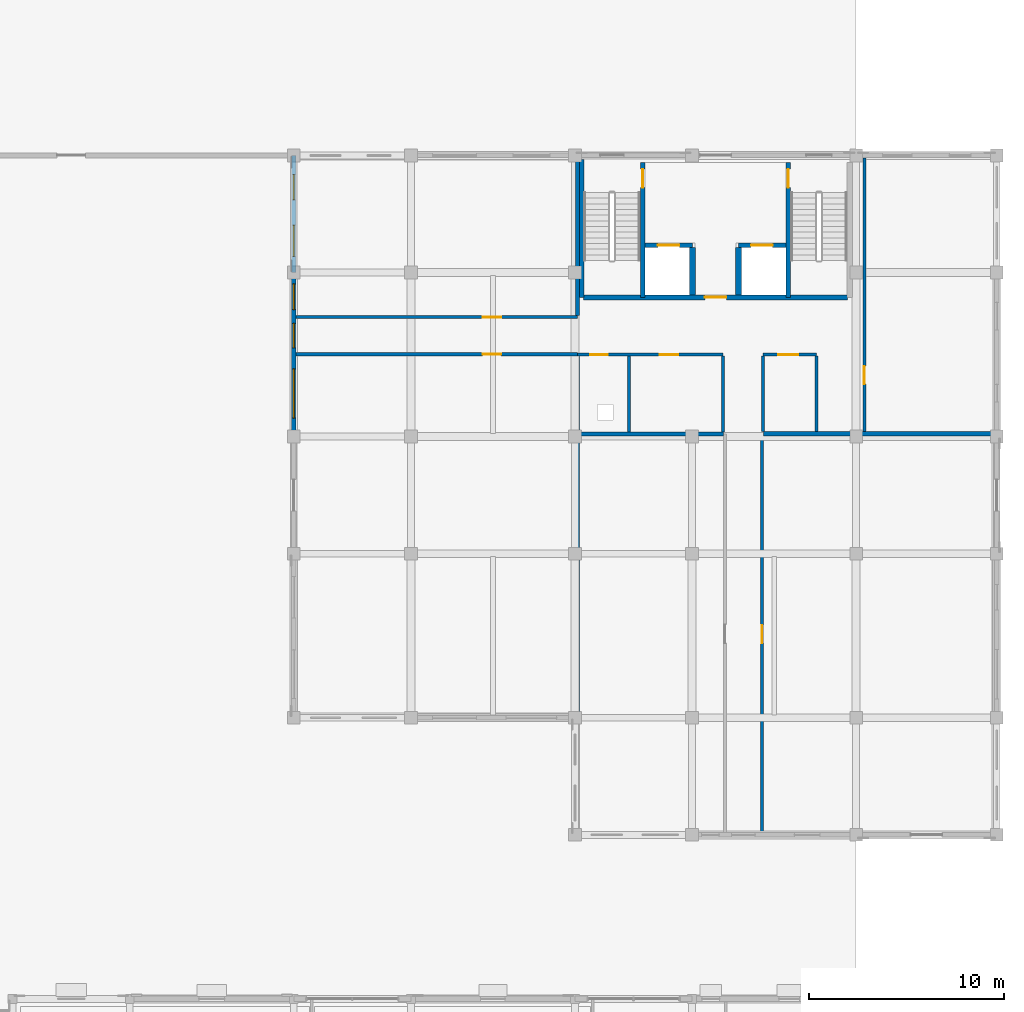
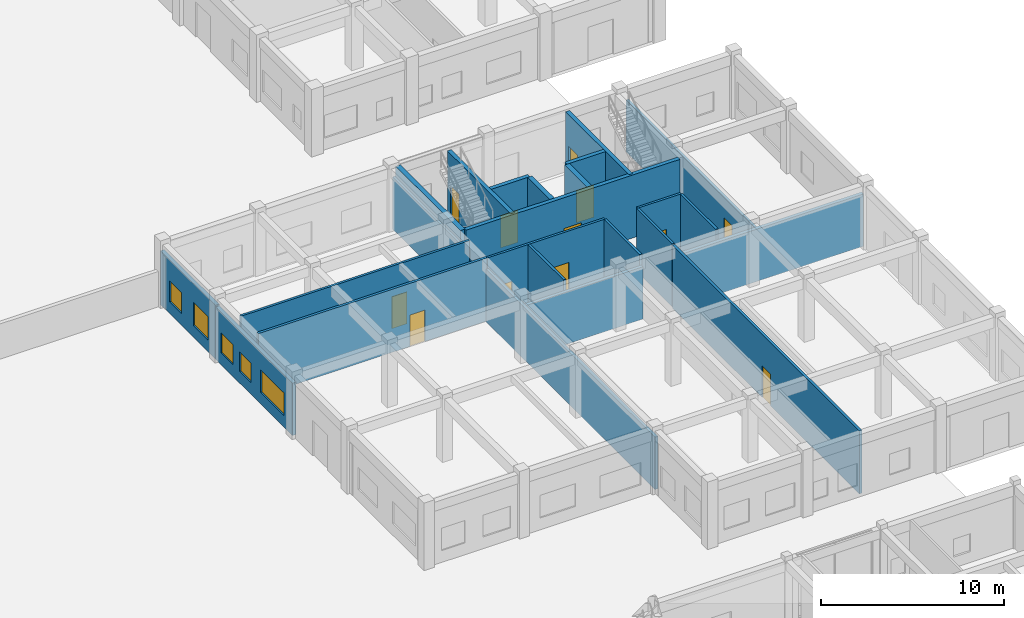
# One storey, part 44 of 67: 24 walls, 12 doors, 5 windows, 17 openings.
"""IFC4 building model written with IfcOpenShell, lengths in metres."""

from ifc_helpers import new_model, si_unit, direction, frame, frame_2d, origin, place, context, subcontext, project, spatial, rectangle, extrude, material, layer, layer_set, type_object, element, fill, save


model = new_model("IFC4")

# Units and contexts
model_context = context("Model", 3, precision=1e-05, world=origin(), true_north=direction((0.0, 1.0)))
body_context = subcontext(model_context, "Body", "Model", "MODEL_VIEW")
ifc_project = project(units=[si_unit("LENGTHUNIT", "METRE"), si_unit("AREAUNIT", "SQUARE_METRE"), si_unit("VOLUMEUNIT", "CUBIC_METRE"), si_unit("PLANEANGLEUNIT", "RADIAN"), si_unit("MASSUNIT", "GRAM", prefix="KILO"), si_unit("THERMODYNAMICTEMPERATUREUNIT", "KELVIN")], contexts=[model_context])

# Site, building, storey
site_placement = place(None, origin())
site = spatial("IfcSite", under=ifc_project, at=site_placement, CompositionType="ELEMENT")
building_placement = place(site_placement, origin())
building = spatial("IfcBuilding", under=site, at=building_placement, Name="Thalorik Housing Commons", CompositionType="ELEMENT")
storey_placement = place(building_placement, origin())
storey = spatial("IfcBuildingStorey", under=building, at=storey_placement, Name="L00", CompositionType="ELEMENT", Elevation=0.0)

# Wall, opening, door
ifc_material_1 = material(Name="Concrete C40/50", Category="concrete")
ifc_layer_1 = layer(ifc_material_1, 0.25, Name="Concrete C40/50", Category="concrete")
ifc_layer_set_1 = layer_set([ifc_layer_1], Name="Concrete C40/50")
wall_type_1 = type_object("IfcWallType", Name="ARC-WAL-CORE-250", PredefinedType="SHEAR", material=ifc_layer_set_1)
wall_1_placement = place(storey_placement, frame((155.875, 71.64990234375, 0.0), z_axis=(0.0, 0.0, 1.0), x_axis=(0.0, -1.0, 0.0)))
wall_1 = element("IfcWall", 1, at=wall_1_placement, inside=storey, type_object=wall_type_1, Name="L00 Core D Stair 1 Shear Wall", PredefinedType="SHEAR", context=body_context, shape_type="SweptSolid", body=[
    extrude(rectangle(XDim=6.9248046875, YDim=0.25, at=frame_2d((3.46240234375, 0.0))), origin(), (0.0, 0.0, 1.0), 4.199951171875),
])
opening_1_placement = place(wall_1_placement, frame((0.35009765625, 0.0, 0.0)))
opening_1 = element("IfcOpeningElement", 2, at=opening_1_placement, cuts=wall_1, Name="Opening ID-0353", PredefinedType="OPENING", context=body_context, shape_type="SweptSolid", body=[
    extrude(rectangle(XDim=0.949951171875, YDim=2.10009765625, at=frame_2d((0.47509765625, 1.050048828125))), frame((0.0, 0.135009765625, 0.0), z_axis=(0.0, -1.0, 0.0), x_axis=(1.0, 0.0, 0.0)), (0.0, 0.0, 1.0), 0.27001953125),
])
ifc_material_2 = material(Name="Steel S355", Category="steel")
door_type_1 = type_object("IfcDoorType", Name="ARC-DR-FD60-950", OperationType="NOTDEFINED", PredefinedType="DOOR", material=ifc_material_2)
door_1_placement = place(opening_1_placement, origin())
door_1 = element("IfcDoor", 3, at=door_1_placement, inside=storey, type_object=door_type_1, Name="L00 Stair ST-D1 Fire Door", OperationType="SINGLE_SWING_RIGHT", OverallHeight=2.10009765625, OverallWidth=0.949951171875, PredefinedType="DOOR", context=body_context, shape_type="SweptSolid", body=[
    extrude(rectangle(XDim=0.949951171875, YDim=2.10009765625, at=frame_2d((0.47509765625, 1.050048828125))), frame((0.0, 0.02490234375, 0.0), z_axis=(0.0, -1.0, 0.0), x_axis=(1.0, 0.0, 0.0)), (0.0, 0.0, 1.0), 0.050048828125),
])
fill(opening_1, door_1)

wall_2_placement = place(storey_placement, frame((163.324951171875, 71.64990234375, 0.0), z_axis=(0.0, 0.0, 1.0), x_axis=(0.0, -1.0, 0.0)))
wall_2 = element("IfcWall", 4, at=wall_2_placement, inside=storey, type_object=wall_type_1, Name="L00 Core D Stair 2 Shear Wall", PredefinedType="SHEAR", context=body_context, shape_type="SweptSolid", body=[
    extrude(rectangle(XDim=6.9248046875, YDim=0.25, at=frame_2d((3.46240234375, 0.0))), origin(), (0.0, 0.0, 1.0), 4.199951171875),
])
opening_2_placement = place(wall_2_placement, frame((0.35009765625, 0.0, 0.0)))
opening_2 = element("IfcOpeningElement", 5, at=opening_2_placement, cuts=wall_2, Name="Opening ID-0354", PredefinedType="OPENING", context=body_context, shape_type="SweptSolid", body=[
    extrude(rectangle(XDim=0.949951171875, YDim=2.10009765625, at=frame_2d((0.47509765625, 1.050048828125))), frame((0.0, 0.135009765625, 0.0), z_axis=(0.0, -1.0, 0.0), x_axis=(1.0, 0.0, 0.0)), (0.0, 0.0, 1.0), 0.27001953125),
])
door_2_placement = place(opening_2_placement, origin())
door_2 = element("IfcDoor", 6, at=door_2_placement, inside=storey, type_object=door_type_1, Name="L00 Stair ST-D2 Fire Door", OperationType="SINGLE_SWING_LEFT", OverallHeight=2.10009765625, OverallWidth=0.949951171875, PredefinedType="DOOR", context=body_context, shape_type="SweptSolid", body=[
    extrude(rectangle(XDim=0.949951171875, YDim=2.10009765625, at=frame_2d((0.47509765625, 1.050048828125))), frame((0.0, 0.02490234375, 0.0), z_axis=(0.0, -1.0, 0.0), x_axis=(1.0, 0.0, 0.0)), (0.0, 0.0, 1.0), 0.050048828125),
])
fill(opening_2, door_2)

wall_3_placement = place(storey_placement, frame((156.0, 67.39990234375, 0.0), z_axis=(0.0, 0.0, 1.0), x_axis=(1.0, 0.0, 0.0)))
wall_3 = element("IfcWall", 7, at=wall_3_placement, inside=storey, type_object=wall_type_1, Name="L00 Lift LP-D1 Front Shaft Wall", PredefinedType="SHEAR", context=body_context, shape_type="SweptSolid", body=[
    extrude(rectangle(XDim=2.425048828125, YDim=0.25, at=frame_2d((1.21240234375, 0.0))), origin(), (0.0, 0.0, 1.0), 4.199951171875),
])
opening_3_placement = place(wall_3_placement, frame((0.64990234375, 0.0, 0.0)))
opening_3 = element("IfcOpeningElement", 8, at=opening_3_placement, cuts=wall_3, Name="Opening LD-LP-D1-L00", PredefinedType="OPENING", context=body_context, shape_type="SweptSolid", body=[
    extrude(rectangle(XDim=1.10009765625, YDim=2.14990234375, at=frame_2d((0.550048828125, 1.074951171875))), frame((0.0, 0.135009765625, 0.0), z_axis=(0.0, -1.0, 0.0), x_axis=(1.0, 0.0, 0.0)), (0.0, 0.0, 1.0), 0.27001953125),
])
door_type_2 = type_object("IfcDoorType", Name="ARC-DR-LIFT-1100", OperationType="NOTDEFINED", PredefinedType="DOOR", material=ifc_material_2)
door_3_placement = place(opening_3_placement, origin())
door_3 = element("IfcDoor", 9, at=door_3_placement, inside=storey, type_object=door_type_2, Name="L00 Lift LP-D1 Landing Door", OperationType="SLIDING_TO_LEFT", OverallHeight=2.14990234375, OverallWidth=1.10009765625, PredefinedType="DOOR", context=body_context, shape_type="SweptSolid", body=[
    extrude(rectangle(XDim=1.10009765625, YDim=2.14990234375, at=frame_2d((0.550048828125, 1.074951171875))), frame((0.0, 0.02490234375, 0.0), z_axis=(0.0, -1.0, 0.0), x_axis=(1.0, 0.0, 0.0)), (0.0, 0.0, 1.0), 0.050048828125),
])
fill(opening_3, door_3)

wall_4_placement = place(storey_placement, frame((160.77490234375, 67.39990234375, 0.0), z_axis=(0.0, 0.0, 1.0), x_axis=(1.0, 0.0, 0.0)))
wall_4 = element("IfcWall", 10, at=wall_4_placement, inside=storey, type_object=wall_type_1, Name="L00 Lift LP-D2 Front Shaft Wall", PredefinedType="SHEAR", context=body_context, shape_type="SweptSolid", body=[
    extrude(rectangle(XDim=2.425048828125, YDim=0.25, at=frame_2d((1.21240234375, 0.0))), origin(), (0.0, 0.0, 1.0), 4.199951171875),
])
opening_4_placement = place(wall_4_placement, frame((0.64990234375, 0.0, 0.0)))
opening_4 = element("IfcOpeningElement", 11, at=opening_4_placement, cuts=wall_4, Name="Opening LD-LP-D2-L00", PredefinedType="OPENING", context=body_context, shape_type="SweptSolid", body=[
    extrude(rectangle(XDim=1.10009765625, YDim=2.14990234375, at=frame_2d((0.550048828125, 1.074951171875))), frame((0.0, 0.135009765625, 0.0), z_axis=(0.0, -1.0, 0.0), x_axis=(1.0, 0.0, 0.0)), (0.0, 0.0, 1.0), 0.27001953125),
])
door_4_placement = place(opening_4_placement, origin())
door_4 = element("IfcDoor", 12, at=door_4_placement, inside=storey, type_object=door_type_2, Name="L00 Lift LP-D2 Landing Door", OperationType="SLIDING_TO_LEFT", OverallHeight=2.14990234375, OverallWidth=1.10009765625, PredefinedType="DOOR", context=body_context, shape_type="SweptSolid", body=[
    extrude(rectangle(XDim=1.10009765625, YDim=2.14990234375, at=frame_2d((0.550048828125, 1.074951171875))), frame((0.0, 0.02490234375, 0.0), z_axis=(0.0, -1.0, 0.0), x_axis=(1.0, 0.0, 0.0)), (0.0, 0.0, 1.0), 0.050048828125),
])
fill(opening_4, door_4)

wall_5_placement = place(storey_placement, frame((152.85009765625, 64.72509765625, 0.0), z_axis=(0.0, 0.0, 1.0), x_axis=(1.0, 0.0, 0.0)))
wall_5 = element("IfcWall", 13, at=wall_5_placement, inside=storey, type_object=wall_type_1, Name="L00 Core D Spine Shear Wall", PredefinedType="SHEAR", context=body_context, shape_type="SweptSolid", body=[
    extrude(rectangle(XDim=13.5, YDim=0.25, at=frame_2d((6.75, 0.0))), origin(), (0.0, 0.0, 1.0), 4.199951171875),
])
opening_5_placement = place(wall_5_placement, frame((6.199951171875, 0.0, 0.0)))
opening_5 = element("IfcOpeningElement", 14, at=opening_5_placement, cuts=wall_5, Name="Opening ID-0357", PredefinedType="OPENING", context=body_context, shape_type="SweptSolid", body=[
    extrude(rectangle(XDim=1.10009765625, YDim=2.14990234375, at=frame_2d((0.550048828125, 1.074951171875))), frame((0.0, 0.135009765625, 0.0), z_axis=(0.0, -1.0, 0.0), x_axis=(1.0, 0.0, 0.0)), (0.0, 0.0, 1.0), 0.27001953125),
])
door_type_3 = type_object("IfcDoorType", Name="ARC-DR-FD60-1100", OperationType="NOTDEFINED", PredefinedType="DOOR", material=ifc_material_2)
door_5_placement = place(opening_5_placement, origin())
door_5 = element("IfcDoor", 15, at=door_5_placement, inside=storey, type_object=door_type_3, Name="L00 Core D Lobby Fire Door", OperationType="SINGLE_SWING_RIGHT", OverallHeight=2.14990234375, OverallWidth=1.10009765625, PredefinedType="DOOR", context=body_context, shape_type="SweptSolid", body=[
    extrude(rectangle(XDim=1.10009765625, YDim=2.14990234375, at=frame_2d((0.550048828125, 1.074951171875))), frame((0.0, 0.02490234375, 0.0), z_axis=(0.0, -1.0, 0.0), x_axis=(1.0, 0.0, 0.0)), (0.0, 0.0, 1.0), 0.050048828125),
])
fill(opening_5, door_5)

# Walls
ifc_layer_2 = layer(ifc_material_1, 0.300048828125, Name="Concrete C40/50", Category="concrete")
ifc_layer_set_2 = layer_set([ifc_layer_2], Name="Concrete C40/50")
wall_type_2 = type_object("IfcWallType", Name="ARC-WAL-CORE-300", PredefinedType="SHEAR", material=ifc_layer_set_2)
wall_6_placement = place(storey_placement, frame((152.72509765625, 71.800048828125, 0.0), z_axis=(0.0, 0.0, 1.0), x_axis=(0.0, -1.0, 0.0)))
element("IfcWall", 16, at=wall_6_placement, inside=storey, type_object=wall_type_2, Name="L00 Core D Stair 1 Outer Shear Wall", PredefinedType="SHEAR", context=body_context, shape_type="SweptSolid", body=[
    extrude(rectangle(XDim=7.074951171875, YDim=0.300048828125, at=frame_2d((3.53759765625, 0.0))), origin(), (0.0, 0.0, 1.0), 4.199951171875),
])
for number, where, z_axis, x_axis, name in (
    (17, (158.425048828125, 67.27490234375, 0.0), (0.0, 0.0, 1.0), (0.0, -1.0, 0.0), "L00 Lift 1 Cheek Wall"),
    (18, (160.77490234375, 67.27490234375, 0.0), (0.0, 0.0, 1.0), (0.0, -1.0, 0.0), "L00 Lift 2 Cheek Wall"),
):
    element("IfcWall", number, at=place(storey_placement, frame(where, z_axis=z_axis, x_axis=x_axis)), inside=storey, type_object=wall_type_2, Name=name, PredefinedType="SHEAR", context=body_context, shape_type="SweptSolid", body=[
        extrude(rectangle(XDim=2.4248046875, YDim=0.300048828125, at=frame_2d((1.21240234375, 0.0))), origin(), (0.0, 0.0, 1.0), 4.199951171875),
    ])

# Wall, opening, door
ifc_material_3 = material(Name="Masonry fire-rated corridor wall", Category="masonry")
ifc_layer_3 = layer(ifc_material_3, 0.14990234375, Name="Masonry fire-rated corridor wall", Category="masonry")
ifc_layer_set_3 = layer_set([ifc_layer_3], Name="Masonry fire-rated corridor wall")
wall_type_3 = type_object("IfcWallType", Name="ARC-WAL-CORR-150", PredefinedType="PARTITIONING", material=ifc_layer_set_3)
wall_7_placement = place(storey_placement, frame((167.219970703125, 57.85205078125, 0.0), z_axis=(0.0, 0.0, 1.0), x_axis=(0.0, 1.0, 0.0)))
wall_7 = element("IfcWall", 19, at=wall_7_placement, inside=storey, type_object=wall_type_3, Name="L00 Block D East Studio Wall", PredefinedType="PARTITIONING", context=body_context, shape_type="SweptSolid", body=[
    extrude(rectangle(XDim=14.008056640625, YDim=0.14990234375, at=frame_2d((7.00390625, 0.0))), origin(), (0.0, 0.0, 1.0), 3.485107421875),
])
opening_6_placement = place(wall_7_placement, frame((2.43798828125, 0.0, 0.0)))
opening_6 = element("IfcOpeningElement", 20, at=opening_6_placement, cuts=wall_7, Name="Opening ID-1988", PredefinedType="OPENING", context=body_context, shape_type="SweptSolid", body=[
    extrude(rectangle(XDim=0.919921875, YDim=2.10009765625, at=frame_2d((0.4599609375, 1.050048828125))), frame((0.0, 0.0849609375, 0.0), z_axis=(0.0, -1.0, 0.0), x_axis=(1.0, 0.0, 0.0)), (0.0, 0.0, 1.0), 0.169921875),
])
ifc_material_4 = material(Name="Solid core hardwood timber", Category="wood")
door_type_4 = type_object("IfcDoorType", Name="ARC-DR-FD30-920", OperationType="NOTDEFINED", PredefinedType="DOOR", material=ifc_material_4)
door_6_placement = place(opening_6_placement, origin())
door_6 = element("IfcDoor", 21, at=door_6_placement, inside=storey, type_object=door_type_4, Name="L00 Block D East Room Door", OperationType="SINGLE_SWING_LEFT", OverallHeight=2.10009765625, OverallWidth=0.919921875, PredefinedType="DOOR", context=body_context, shape_type="SweptSolid", body=[
    extrude(rectangle(XDim=0.919921875, YDim=2.10009765625, at=frame_2d((0.4599609375, 1.050048828125))), frame((0.0, 0.02490234375, 0.0), z_axis=(0.0, -1.0, 0.0), x_axis=(1.0, 0.0, 0.0)), (0.0, 0.0, 1.0), 0.050048828125),
])
fill(opening_6, door_6)

wall_8_placement = place(storey_placement, frame((138.119384765625, 63.719970703125, 0.0), z_axis=(0.0, 0.0, 1.0), x_axis=(1.0, 0.0, 0.0)))
wall_8 = element("IfcWall", 22, at=wall_8_placement, inside=storey, type_object=wall_type_3, Name="L00 Block D R Corridor Wall 2", PredefinedType="PARTITIONING", context=body_context, shape_type="SweptSolid", body=[
    extrude(rectangle(XDim=14.420654296875, YDim=0.14990234375, at=frame_2d((7.21044921875, 0.0))), origin(), (0.0, 0.0, 1.0), 4.199951171875),
])
opening_7_placement = place(wall_8_placement, frame((9.548583984375, 0.0, 0.0)))
opening_7 = element("IfcOpeningElement", 23, at=opening_7_placement, cuts=wall_8, Name="Opening ID-1990", PredefinedType="OPENING", context=body_context, shape_type="SweptSolid", body=[
    extrude(rectangle(XDim=0.9599609375, YDim=2.1201171875, at=frame_2d((0.47998046875, 1.06005859375))), frame((0.0, 0.0849609375, 0.0), z_axis=(0.0, -1.0, 0.0), x_axis=(1.0, 0.0, 0.0)), (0.0, 0.0, 1.0), 0.169921875),
])
door_type_5 = type_object("IfcDoorType", Name="ARC-DR-FD30-960", OperationType="NOTDEFINED", PredefinedType="DOOR", material=ifc_material_4)
door_7_placement = place(opening_7_placement, origin())
door_7 = element("IfcDoor", 24, at=door_7_placement, inside=storey, type_object=door_type_5, Name="L00 Residents Cooperative Library Door", OperationType="SINGLE_SWING_LEFT", OverallHeight=2.1201171875, OverallWidth=0.9599609375, PredefinedType="DOOR", context=body_context, shape_type="SweptSolid", body=[
    extrude(rectangle(XDim=0.9599609375, YDim=2.1201171875, at=frame_2d((0.47998046875, 1.06005859375))), frame((0.0, 0.02490234375, 0.0), z_axis=(0.0, -1.0, 0.0), x_axis=(1.0, 0.0, 0.0)), (0.0, 0.0, 1.0), 0.050048828125),
])
fill(opening_7, door_7)

ifc_layer_4 = layer(ifc_material_3, 0.1650390625, Name="Masonry fire-rated corridor wall", Category="masonry")
ifc_layer_set_4 = layer_set([ifc_layer_4], Name="Masonry fire-rated corridor wall")
wall_type_4 = type_object("IfcWallType", Name="ARC-WAL-CORR-165", PredefinedType="PARTITIONING", material=ifc_layer_set_4)
wall_9_placement = place(storey_placement, frame((161.97998046875, 37.319580078125, 0.0), z_axis=(0.0, 0.0, 1.0), x_axis=(0.0, 1.0, 0.0)))
wall_9 = element("IfcWall", 25, at=wall_9_placement, inside=storey, type_object=wall_type_4, Name="L00 Block D E Corridor Wall 2", PredefinedType="PARTITIONING", context=body_context, shape_type="SweptSolid", body=[
    extrude(rectangle(XDim=20.42041015625, YDim=0.1650390625, at=frame_2d((10.210205078125, 0.0))), origin(), (0.0, 0.0, 1.0), 4.199951171875),
])
opening_8_placement = place(wall_9_placement, frame((9.700439453125, 0.0, 0.0)))
opening_8 = element("IfcOpeningElement", 26, at=opening_8_placement, cuts=wall_9, Name="Opening ID-1987", PredefinedType="OPENING", context=body_context, shape_type="SweptSolid", body=[
    extrude(rectangle(XDim=0.919921875, YDim=2.10009765625, at=frame_2d((0.4599609375, 1.050048828125))), frame((0.0, 0.092529296875, 0.0), z_axis=(0.0, -1.0, 0.0), x_axis=(1.0, 0.0, 0.0)), (0.0, 0.0, 1.0), 0.18505859375),
])
door_8_placement = place(opening_8_placement, origin())
door_8 = element("IfcDoor", 27, at=door_8_placement, inside=storey, type_object=door_type_4, Name="L00 Residents Cooperative Library Door", OperationType="SINGLE_SWING_RIGHT", OverallHeight=2.10009765625, OverallWidth=0.919921875, PredefinedType="DOOR", context=body_context, shape_type="SweptSolid", body=[
    extrude(rectangle(XDim=0.919921875, YDim=2.10009765625, at=frame_2d((0.4599609375, 1.050048828125))), frame((0.0, 0.02490234375, 0.0), z_axis=(0.0, -1.0, 0.0), x_axis=(1.0, 0.0, 0.0)), (0.0, 0.0, 1.0), 0.050048828125),
])
fill(opening_8, door_8)

wall_10_placement = place(storey_placement, frame((138.119384765625, 61.820068359375, 0.0), z_axis=(0.0, 0.0, 1.0), x_axis=(1.0, 0.0, 0.0)))
wall_10 = element("IfcWall", 28, at=wall_10_placement, inside=storey, type_object=wall_type_4, Name="L00 Block D R Corridor Wall 1", PredefinedType="PARTITIONING", context=body_context, shape_type="SweptSolid", body=[
    extrude(rectangle(XDim=14.420654296875, YDim=0.1650390625, at=frame_2d((7.21044921875, 0.0))), origin(), (0.0, 0.0, 1.0), 4.199951171875),
])
opening_9_placement = place(wall_10_placement, frame((9.555908203125, 0.0, 0.0)))
opening_9 = element("IfcOpeningElement", 29, at=opening_9_placement, cuts=wall_10, Name="Opening ID-1989", PredefinedType="OPENING", context=body_context, shape_type="SweptSolid", body=[
    extrude(rectangle(XDim=0.949951171875, YDim=2.10009765625, at=frame_2d((0.47509765625, 1.050048828125))), frame((0.0, 0.092529296875, 0.0), z_axis=(0.0, -1.0, 0.0), x_axis=(1.0, 0.0, 0.0)), (0.0, 0.0, 1.0), 0.18505859375),
])
door_9_placement = place(opening_9_placement, origin())
door_9 = element("IfcDoor", 30, at=door_9_placement, inside=storey, type_object=door_type_1, Name="L00 Residents Lounge Entrance Door", OperationType="SINGLE_SWING_RIGHT", OverallHeight=2.10009765625, OverallWidth=0.949951171875, PredefinedType="DOOR", context=body_context, shape_type="SweptSolid", body=[
    extrude(rectangle(XDim=0.949951171875, YDim=2.10009765625, at=frame_2d((0.47509765625, 1.050048828125))), frame((0.0, 0.02490234375, 0.0), z_axis=(0.0, -1.0, 0.0), x_axis=(1.0, 0.0, 0.0)), (0.0, 0.0, 1.0), 0.050048828125),
])
fill(opening_9, door_9)

# Wall, openings, windows
ifc_material_5 = material(Name="White precast concrete C40/50", Category="concrete")
ifc_layer_5 = layer(ifc_material_5, 0.235107421875, Name="White precast concrete C40/50", Category="concrete")
ifc_layer_set_5 = layer_set([ifc_layer_5], Name="White precast concrete C40/50")
wall_type_5 = type_object("IfcWallType", Name="ARC-WAL-EXT-235", PredefinedType="STANDARD", material=ifc_layer_set_5)
wall_11_placement = place(storey_placement, frame((138.0, 72.0, 0.0), z_axis=(0.0, 0.0, 1.0), x_axis=(0.0, -1.0, 0.0)))
wall_11 = element("IfcWall", 31, at=wall_11_placement, inside=storey, type_object=wall_type_5, Name="L00 Exterior Wall WAL-EXT-L00-D-1107", PredefinedType="STANDARD", context=body_context, shape_type="SweptSolid", body=[
    extrude(rectangle(XDim=6.0, YDim=0.235107421875, at=frame_2d((3.0, 0.0))), origin(), (0.0, 0.0, 1.0), 3.5849609375),
])
opening_10_placement = place(wall_11_placement, frame((0.97998046875, 0.0, 0.780029296875)))
opening_10 = element("IfcOpeningElement", 32, at=opening_10_placement, cuts=wall_11, Name="Opening W-06", PredefinedType="OPENING", context=body_context, shape_type="SweptSolid", body=[
    extrude(rectangle(XDim=1.300048828125, YDim=1.39990234375, at=frame_2d((0.64990234375, 0.699951171875))), frame((0.0, 0.12744140625, 0.0), z_axis=(0.0, -1.0, 0.0), x_axis=(1.0, 0.0, 0.0)), (0.0, 0.0, 1.0), 0.255126953125),
])
opening_11_placement = place(wall_11_placement, frame((3.570068359375, 0.0, 0.780029296875)))
opening_11 = element("IfcOpeningElement", 33, at=opening_11_placement, cuts=wall_11, Name="Opening W-13", PredefinedType="OPENING", context=body_context, shape_type="SweptSolid", body=[
    extrude(rectangle(XDim=1.60009765625, YDim=1.550048828125, at=frame_2d((0.800048828125, 0.77490234375))), frame((0.0, 0.12744140625, 0.0), z_axis=(0.0, -1.0, 0.0), x_axis=(1.0, 0.0, 0.0)), (0.0, 0.0, 1.0), 0.255126953125),
])
ifc_material_6 = material(Name="Anodised aluminium and solar-control low-E glass", Category="aluminium")
window_type_1 = type_object("IfcWindowType", Name="ARC-WIN-06", PartitioningType="SINGLE_PANEL", PredefinedType="WINDOW", material=ifc_material_6)
window_1_placement = place(opening_10_placement, origin())
window_1 = element("IfcWindow", 34, at=window_1_placement, inside=storey, type_object=window_type_1, Name="L00 Facade Window 2041", OverallHeight=1.39990234375, OverallWidth=1.300048828125, PartitioningType="SINGLE_PANEL", PredefinedType="WINDOW", context=body_context, shape_type="SweptSolid", body=[
    extrude(rectangle(XDim=1.300048828125, YDim=1.39990234375, at=frame_2d((0.64990234375, 0.699951171875))), frame((0.0, 0.030029296875, 0.0), z_axis=(0.0, -1.0, 0.0), x_axis=(1.0, 0.0, 0.0)), (0.0, 0.0, 1.0), 0.06005859375),
])
fill(opening_10, window_1)
window_type_2 = type_object("IfcWindowType", Name="ARC-WIN-13", PartitioningType="DOUBLE_PANEL_VERTICAL", PredefinedType="WINDOW", material=ifc_material_6)
window_2_placement = place(opening_11_placement, origin())
window_2 = element("IfcWindow", 35, at=window_2_placement, inside=storey, type_object=window_type_2, Name="L00 Facade Window 2042", OverallHeight=1.550048828125, OverallWidth=1.60009765625, PartitioningType="DOUBLE_PANEL_VERTICAL", PredefinedType="WINDOW", context=body_context, shape_type="SweptSolid", body=[
    extrude(rectangle(XDim=1.60009765625, YDim=1.550048828125, at=frame_2d((0.800048828125, 0.77490234375))), frame((0.0, 0.030029296875, 0.0), z_axis=(0.0, -1.0, 0.0), x_axis=(1.0, 0.0, 0.0)), (0.0, 0.0, 1.0), 0.06005859375),
])
fill(opening_11, window_2)

wall_12_placement = place(storey_placement, frame((138.0, 66.0, 0.0), z_axis=(0.0, 0.0, 1.0), x_axis=(0.0, -1.0, 0.0)))
wall_12 = element("IfcWall", 36, at=wall_12_placement, inside=storey, type_object=wall_type_5, Name="L00 Exterior Wall WAL-EXT-L00-D-1108", PredefinedType="STANDARD", context=body_context, shape_type="SweptSolid", body=[
    extrude(rectangle(XDim=8.39990234375, YDim=0.235107421875, at=frame_2d((4.199951171875, 0.0))), origin(), (0.0, 0.0, 1.0), 3.485107421875),
])
opening_12_placement = place(wall_12_placement, frame((0.574951171875, 0.0, 0.780029296875)))
opening_12 = element("IfcOpeningElement", 37, at=opening_12_placement, cuts=wall_12, Name="Opening W-48", PredefinedType="OPENING", context=body_context, shape_type="SweptSolid", body=[
    extrude(rectangle(XDim=1.320068359375, YDim=1.35009765625, at=frame_2d((0.66015625, 0.675048828125))), frame((0.0, 0.12744140625, 0.0), z_axis=(0.0, -1.0, 0.0), x_axis=(1.0, 0.0, 0.0)), (0.0, 0.0, 1.0), 0.255126953125),
])
opening_13_placement = place(wall_12_placement, frame((2.60498046875, 0.0, 0.780029296875)))
opening_13 = element("IfcOpeningElement", 38, at=opening_13_placement, cuts=wall_12, Name="Opening W-46", PredefinedType="OPENING", context=body_context, shape_type="SweptSolid", body=[
    extrude(rectangle(XDim=1.25, YDim=1.300048828125, at=frame_2d((0.625, 0.64990234375))), frame((0.0, 0.12744140625, 0.0), z_axis=(0.0, -1.0, 0.0), x_axis=(1.0, 0.0, 0.0)), (0.0, 0.0, 1.0), 0.255126953125),
])
opening_14_placement = place(wall_12_placement, frame((4.93505859375, 0.0, 0.780029296875)))
opening_14 = element("IfcOpeningElement", 39, at=opening_14_placement, cuts=wall_12, Name="Opening W-72", PredefinedType="OPENING", context=body_context, shape_type="SweptSolid", body=[
    extrude(rectangle(XDim=2.52001953125, YDim=1.5, at=frame_2d((1.260009765625, 0.75))), frame((0.0, 0.12744140625, 0.0), z_axis=(0.0, -1.0, 0.0), x_axis=(1.0, 0.0, 0.0)), (0.0, 0.0, 1.0), 0.255126953125),
])
window_type_3 = type_object("IfcWindowType", Name="ARC-WIN-46", PartitioningType="SINGLE_PANEL", PredefinedType="WINDOW", material=ifc_material_6)
window_3_placement = place(opening_13_placement, origin())
window_3 = element("IfcWindow", 40, at=window_3_placement, inside=storey, type_object=window_type_3, Name="L00 Facade Window 2044", OverallHeight=1.300048828125, OverallWidth=1.25, PartitioningType="SINGLE_PANEL", PredefinedType="WINDOW", context=body_context, shape_type="SweptSolid", body=[
    extrude(rectangle(XDim=1.25, YDim=1.300048828125, at=frame_2d((0.625, 0.64990234375))), frame((0.0, 0.030029296875, 0.0), z_axis=(0.0, -1.0, 0.0), x_axis=(1.0, 0.0, 0.0)), (0.0, 0.0, 1.0), 0.06005859375),
])
fill(opening_13, window_3)
window_type_4 = type_object("IfcWindowType", Name="ARC-WIN-48", PartitioningType="SINGLE_PANEL", PredefinedType="WINDOW", material=ifc_material_6)
window_4_placement = place(opening_12_placement, origin())
window_4 = element("IfcWindow", 41, at=window_4_placement, inside=storey, type_object=window_type_4, Name="L00 Facade Window 2043", OverallHeight=1.35009765625, OverallWidth=1.320068359375, PartitioningType="SINGLE_PANEL", PredefinedType="WINDOW", context=body_context, shape_type="SweptSolid", body=[
    extrude(rectangle(XDim=1.320068359375, YDim=1.35009765625, at=frame_2d((0.66015625, 0.675048828125))), frame((0.0, 0.030029296875, 0.0), z_axis=(0.0, -1.0, 0.0), x_axis=(1.0, 0.0, 0.0)), (0.0, 0.0, 1.0), 0.06005859375),
])
fill(opening_12, window_4)
window_type_5 = type_object("IfcWindowType", Name="ARC-WIN-72", PartitioningType="DOUBLE_PANEL_VERTICAL", PredefinedType="WINDOW", material=ifc_material_6)
window_5_placement = place(opening_14_placement, origin())
window_5 = element("IfcWindow", 42, at=window_5_placement, inside=storey, type_object=window_type_5, Name="L00 Facade Window 2045", OverallHeight=1.5, OverallWidth=2.52001953125, PartitioningType="DOUBLE_PANEL_VERTICAL", PredefinedType="WINDOW", context=body_context, shape_type="SweptSolid", body=[
    extrude(rectangle(XDim=2.52001953125, YDim=1.5, at=frame_2d((1.260009765625, 0.75))), frame((0.0, 0.030029296875, 0.0), z_axis=(0.0, -1.0, 0.0), x_axis=(1.0, 0.0, 0.0)), (0.0, 0.0, 1.0), 0.06005859375),
])
fill(opening_14, window_5)

# Walls
ifc_material_7 = material(Name="Ceramic masonry partition wall", Category="masonry")
ifc_layer_6 = layer(ifc_material_7, 0.14794921875, Name="Ceramic masonry partition wall", Category="masonry")
ifc_layer_set_6 = layer_set([ifc_layer_6], Name="Ceramic masonry partition wall")
wall_type_6 = type_object("IfcWallType", Name="ARC-WAL-PART-150", PredefinedType="PARTITIONING", material=ifc_layer_set_6)
for number, where, z_axis, x_axis, name in (
    (43, (155.175048828125, 61.72412109375, 0.0), (0.0, 0.0, 1.0), (0.0, -1.0, 0.0), "Riser Wall"),
    (44, (159.97509765625, 61.72412109375, 0.0), (0.0, 0.0, 1.0), (0.0, -1.0, 0.0), "Core Stem West Cheek Wall"),
):
    element("IfcWall", number, at=place(storey_placement, frame(where, z_axis=z_axis, x_axis=x_axis)), inside=storey, type_object=wall_type_6, Name=name, PredefinedType="PARTITIONING", context=body_context, shape_type="SweptSolid", body=[
        extrude(rectangle(XDim=3.882080078125, YDim=0.14794921875, at=frame_2d((1.94091796875, 0.0))), origin(), (0.0, 0.0, 1.0), 4.199951171875),
    ])
for number, where, z_axis, x_axis, name in (
    (45, (162.02490234375, 61.72412109375, 0.0), (0.0, 0.0, 1.0), (0.0, -1.0, 0.0), "Core Stem East Cheek Wall"),
    (46, (164.780029296875, 61.72412109375, 0.0), (0.0, 0.0, 1.0), (0.0, -1.0, 0.0), "Core East Enclosing Wall"),
):
    element("IfcWall", number, at=place(storey_placement, frame(where, z_axis=z_axis, x_axis=x_axis)), inside=storey, type_object=wall_type_6, Name=name, PredefinedType="PARTITIONING", context=body_context, shape_type="SweptSolid", body=[
        extrude(rectangle(XDim=3.8720703125, YDim=0.14794921875, at=frame_2d((1.93603515625, 0.0))), origin(), (0.0, 0.0, 1.0), 4.199951171875),
    ])

# Wall, openings, doors
wall_13_placement = place(storey_placement, frame((152.5400390625, 61.800048828125, 0.0), z_axis=(0.0, 0.0, 1.0), x_axis=(1.0, 0.0, 0.0)))
wall_13 = element("IfcWall", 47, at=wall_13_placement, inside=storey, type_object=wall_type_6, Name="L00 Core D West Corridor Partition", PredefinedType="PARTITIONING", context=body_context, shape_type="SweptSolid", body=[
    extrude(rectangle(XDim=7.43505859375, YDim=0.14794921875, at=frame_2d((3.717529296875, 0.0))), origin(), (0.0, 0.0, 1.0), 4.199951171875),
])
opening_15_placement = place(wall_13_placement, frame((0.64990234375, 0.0, 0.0)))
opening_15 = element("IfcOpeningElement", 48, at=opening_15_placement, cuts=wall_13, Name="Opening ID-0358", PredefinedType="OPENING", context=body_context, shape_type="SweptSolid", body=[
    extrude(rectangle(XDim=0.89990234375, YDim=2.10009765625, at=frame_2d((0.449951171875, 1.050048828125))), frame((0.0, 0.083984375, 0.0), z_axis=(0.0, -1.0, 0.0), x_axis=(1.0, 0.0, 0.0)), (0.0, 0.0, 1.0), 0.16796875),
])
opening_16_placement = place(wall_13_placement, frame((4.199951171875, 0.0, 0.0)))
opening_16 = element("IfcOpeningElement", 49, at=opening_16_placement, cuts=wall_13, Name="Opening ID-0359", PredefinedType="OPENING", context=body_context, shape_type="SweptSolid", body=[
    extrude(rectangle(XDim=0.949951171875, YDim=2.10009765625, at=frame_2d((0.47509765625, 1.050048828125))), frame((0.0, 0.083984375, 0.0), z_axis=(0.0, -1.0, 0.0), x_axis=(1.0, 0.0, 0.0)), (0.0, 0.0, 1.0), 0.16796875),
])
door_type_6 = type_object("IfcDoorType", Name="ARC-DR-FD60-900", OperationType="NOTDEFINED", PredefinedType="DOOR", material=ifc_material_2)
door_10_placement = place(opening_15_placement, origin())
door_10 = element("IfcDoor", 50, at=door_10_placement, inside=storey, type_object=door_type_6, Name="Electrical Riser Door", OperationType="SINGLE_SWING_LEFT", OverallHeight=2.10009765625, OverallWidth=0.89990234375, PredefinedType="DOOR", context=body_context, shape_type="SweptSolid", body=[
    extrude(rectangle(XDim=0.89990234375, YDim=2.10009765625, at=frame_2d((0.449951171875, 1.050048828125))), frame((0.0, 0.02490234375, 0.0), z_axis=(0.0, -1.0, 0.0), x_axis=(1.0, 0.0, 0.0)), (0.0, 0.0, 1.0), 0.050048828125),
])
fill(opening_15, door_10)
ifc_material_8 = material(Name="Engineered oak timber", Category="wood")
door_type_7 = type_object("IfcDoorType", Name="ARC-DR-INT-950", OperationType="NOTDEFINED", PredefinedType="DOOR", material=ifc_material_8)
door_11_placement = place(opening_16_placement, origin())
door_11 = element("IfcDoor", 51, at=door_11_placement, inside=storey, type_object=door_type_7, Name="Accessible Bathroom Door", OperationType="SINGLE_SWING_RIGHT", OverallHeight=2.10009765625, OverallWidth=0.949951171875, PredefinedType="DOOR", context=body_context, shape_type="SweptSolid", body=[
    extrude(rectangle(XDim=0.949951171875, YDim=2.10009765625, at=frame_2d((0.47509765625, 1.050048828125))), frame((0.0, 0.02490234375, 0.0), z_axis=(0.0, -1.0, 0.0), x_axis=(1.0, 0.0, 0.0)), (0.0, 0.0, 1.0), 0.050048828125),
])
fill(opening_16, door_11)

# Wall, opening, door
wall_14_placement = place(storey_placement, frame((162.02490234375, 61.800048828125, 0.0), z_axis=(0.0, 0.0, 1.0), x_axis=(1.0, 0.0, 0.0)))
wall_14 = element("IfcWall", 52, at=wall_14_placement, inside=storey, type_object=wall_type_6, Name="L00 Core D East Corridor Partition", PredefinedType="PARTITIONING", context=body_context, shape_type="SweptSolid", body=[
    extrude(rectangle(XDim=2.755126953125, YDim=0.14794921875, at=frame_2d((1.37744140625, 0.0))), origin(), (0.0, 0.0, 1.0), 4.199951171875),
])
opening_17_placement = place(wall_14_placement, frame((0.800048828125, 0.0, 0.0)))
opening_17 = element("IfcOpeningElement", 53, at=opening_17_placement, cuts=wall_14, Name="Opening ID-0360", PredefinedType="OPENING", context=body_context, shape_type="SweptSolid", body=[
    extrude(rectangle(XDim=1.0, YDim=2.14990234375, at=frame_2d((0.5, 1.074951171875))), frame((0.0, 0.083984375, 0.0), z_axis=(0.0, -1.0, 0.0), x_axis=(1.0, 0.0, 0.0)), (0.0, 0.0, 1.0), 0.16796875),
])
door_type_8 = type_object("IfcDoorType", Name="ARC-DR-FD60-1000", OperationType="NOTDEFINED", PredefinedType="DOOR", material=ifc_material_2)
door_12_placement = place(opening_17_placement, origin())
door_12 = element("IfcDoor", 54, at=door_12_placement, inside=storey, type_object=door_type_8, Name="Core Hub Room Door", OperationType="SINGLE_SWING_LEFT", OverallHeight=2.14990234375, OverallWidth=1.0, PredefinedType="DOOR", context=body_context, shape_type="SweptSolid", body=[
    extrude(rectangle(XDim=1.0, YDim=2.14990234375, at=frame_2d((0.5, 1.074951171875))), frame((0.0, 0.02490234375, 0.0), z_axis=(0.0, -1.0, 0.0), x_axis=(1.0, 0.0, 0.0)), (0.0, 0.0, 1.0), 0.050048828125),
])
fill(opening_17, door_12)

# Walls
ifc_material_9 = material(Name="Masonry acoustic blockwork wall", Category="masonry")
ifc_layer_7 = layer(ifc_material_9, 0.18505859375, Name="Masonry acoustic blockwork wall", Category="masonry")
ifc_layer_set_7 = layer_set([ifc_layer_7], Name="Masonry acoustic blockwork wall")
wall_type_7 = type_object("IfcWallType", Name="ARC-WAL-PARTY-185", PredefinedType="PARTITIONING", material=ifc_layer_set_7)
wall_15_placement = place(storey_placement, frame((152.5400390625, 43.260009765625, 0.0), z_axis=(0.0, 0.0, 1.0), x_axis=(0.0, 1.0, 0.0)))
element("IfcWall", 55, at=wall_15_placement, inside=storey, type_object=wall_type_7, Name="L00 Core End Wall A", PredefinedType="PARTITIONING", context=body_context, shape_type="SweptSolid", body=[
    extrude(rectangle(XDim=18.464111328125, YDim=0.18505859375, at=frame_2d((9.23193359375, 0.0))), origin(), (0.0, 0.0, 1.0), 3.485107421875),
])
ifc_material_10 = material(Name="Precast concrete C40/50 acoustic wall", Category="concrete")
ifc_layer_8 = layer(ifc_material_10, 0.199951171875, Name="Precast concrete C40/50 acoustic wall", Category="concrete")
ifc_layer_set_8 = layer_set([ifc_layer_8], Name="Precast concrete C40/50 acoustic wall")
wall_type_8 = type_object("IfcWallType", Name="ARC-WAL-PARTY-200", PredefinedType="PARTITIONING", material=ifc_layer_set_8)
wall_16_placement = place(storey_placement, frame((152.634521484375, 57.739990234375, 0.0), z_axis=(0.0, 0.0, 1.0), x_axis=(1.0, 0.0, 0.0)))
element("IfcWall", 56, at=wall_16_placement, inside=storey, type_object=wall_type_8, Name="L00 Core End Wall A", PredefinedType="PARTITIONING", context=body_context, shape_type="SweptSolid", body=[
    extrude(rectangle(XDim=7.368408203125, YDim=0.199951171875, at=frame_2d((3.68408203125, 0.0))), origin(), (0.0, 0.0, 1.0), 3.485107421875),
])
wall_17_placement = place(storey_placement, frame((152.5400390625, 63.797119140625, 0.0), z_axis=(0.0, 0.0, 1.0), x_axis=(0.0, 1.0, 0.0)))
element("IfcWall", 57, at=wall_17_placement, inside=storey, type_object=wall_type_8, Name="L00 Core End Wall B", PredefinedType="PARTITIONING", context=body_context, shape_type="SweptSolid", body=[
    extrude(rectangle(XDim=8.08349609375, YDim=0.199951171875, at=frame_2d((4.041748046875, 0.0))), origin(), (0.0, 0.0, 1.0), 3.485107421875),
])
ifc_layer_9 = layer(ifc_material_10, 0.219970703125, Name="Precast concrete C40/50 acoustic wall", Category="concrete")
ifc_layer_set_9 = layer_set([ifc_layer_9], Name="Precast concrete C40/50 acoustic wall")
wall_type_9 = type_object("IfcWallType", Name="ARC-WAL-PARTY-220", PredefinedType="PARTITIONING", material=ifc_layer_set_9)
wall_18_placement = place(storey_placement, frame((162.064453125, 57.739990234375, 0.0), z_axis=(0.0, 0.0, 1.0), x_axis=(1.0, 0.0, 0.0)))
element("IfcWall", 58, at=wall_18_placement, inside=storey, type_object=wall_type_9, Name="L00 Core End Wall B", PredefinedType="PARTITIONING", context=body_context, shape_type="SweptSolid", body=[
    extrude(rectangle(XDim=11.816162109375, YDim=0.219970703125, at=frame_2d((5.908203125, 0.0))), origin(), (0.0, 0.0, 1.0), 3.485107421875),
])

save(model, "model.ifc")
